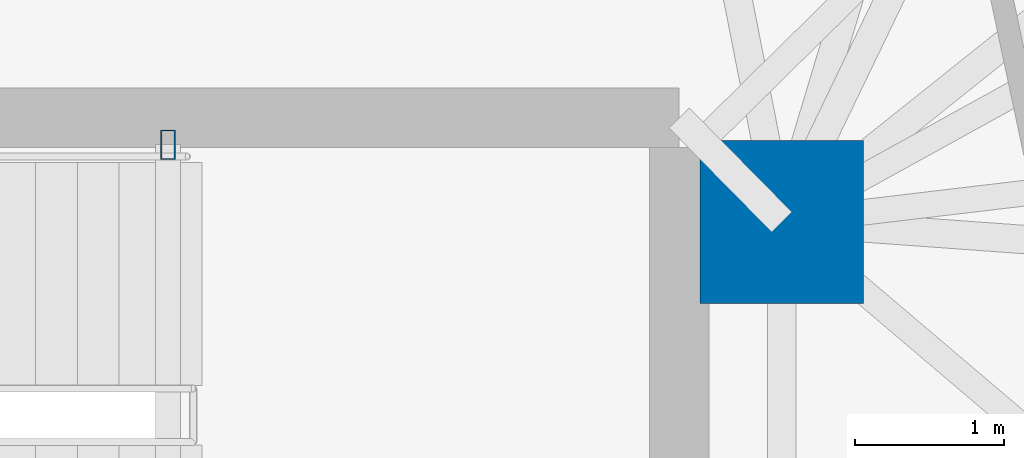
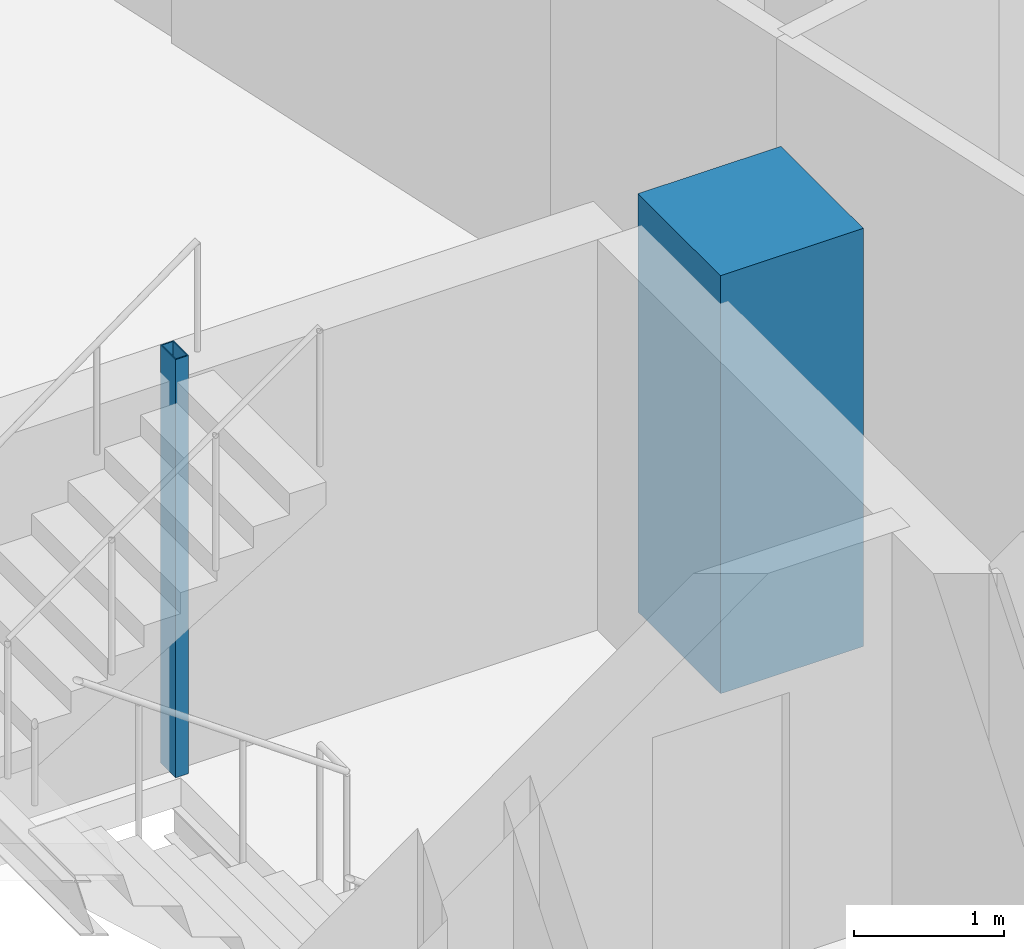
# One storey, part 4 of 19: 2 columns.
"""IFC4 building model written with IfcOpenShell, lengths in metres."""

from ifc_helpers import new_model, si_unit, direction, frame, origin, origin_2d, place, context, subcontext, project, spatial, rectangle, hollow_rectangle, extrude, material, material_profile, profile_set, type_object, element, save


model = new_model("IFC4")

# Units and contexts
model_context = context("Model", 3, precision=1e-05, world=origin(), true_north=direction((0.0, 1.0)))
body_context = subcontext(model_context, "Body", "Model", "MODEL_VIEW")
ifc_project = project(units=[si_unit("LENGTHUNIT", "METRE"), si_unit("AREAUNIT", "SQUARE_METRE"), si_unit("VOLUMEUNIT", "CUBIC_METRE"), si_unit("PLANEANGLEUNIT", "RADIAN"), si_unit("MASSUNIT", "GRAM", prefix="KILO")], contexts=[model_context])

# Site, building, storey
site_placement = place(None, origin())
site = spatial("IfcSite", under=ifc_project, at=site_placement, CompositionType="ELEMENT")
building_placement = place(site_placement, origin())
building = spatial("IfcBuilding", under=site, at=building_placement, Name="Menara Jurai Vektor", CompositionType="ELEMENT")
storey_placement = place(building_placement, frame((0.0, 0.0, 182.0)))
storey = spatial("IfcBuildingStorey", under=building, at=storey_placement, Name="L47", CompositionType="ELEMENT", Elevation=182.0)

# Columns
ifc_material_1 = material(Name="Concrete C50/60", Category="concrete")
ifc_material_profile_1 = material_profile(ifc_material_1, rectangle(XDim=1.10009765625, YDim=1.10009765625, at=origin_2d()), Name="RC 1100x1100")
ifc_profile_set_1 = profile_set([ifc_material_profile_1], Name="Concrete C50/60")
column_type_1 = type_object("IfcColumnType", Name="STR-COL-RC1100", PredefinedType="COLUMN", material=ifc_profile_set_1)
column_1_placement = place(storey_placement, frame((15.25, 4.89990234375, 0.0), z_axis=(0.0, 0.0, 1.0), x_axis=(1.0, 0.0, 0.0)))
element("IfcColumn", 1, at=column_1_placement, inside=storey, type_object=column_type_1, Name="Core Spine Column CE-NE L47", PredefinedType="COLUMN", context=body_context, shape_type="SweptSolid", body=[
    extrude(rectangle(XDim=1.10009765625, YDim=1.10009765625, at=origin_2d()), origin(), (0.0, 0.0, 1.0), 3.39990234375),
])
ifc_material_2 = material(Name="Steel S355", Category="steel")
ifc_material_profile_2 = material_profile(ifc_material_2, hollow_rectangle(XDim=0.10009765625, YDim=0.199951171875, WallThickness=0.008056640625, at=origin_2d()), Name="RHS 200x100x8")
ifc_profile_set_2 = profile_set([ifc_material_profile_2], Name="Steel S355")
column_type_2 = type_object("IfcColumnType", Name="STR-COL-STAIR", PredefinedType="COLUMN", material=ifc_profile_set_2)
column_2_placement = place(storey_placement, frame((11.1201171875, 5.419921875, 0.0), z_axis=(0.0, 0.0, 1.0), x_axis=(1.0, 0.0, 0.0)))
element("IfcColumn", 2, at=column_2_placement, inside=storey, type_object=column_type_2, Name="Stair Well Header Column ST2-P2 L47", PredefinedType="COLUMN", context=body_context, shape_type="SweptSolid", body=[
    extrude(hollow_rectangle(XDim=0.10009765625, YDim=0.199951171875, WallThickness=0.008056640625, at=origin_2d()), origin(), (0.0, 0.0, 1.0), 3.39990234375),
])

save(model, "model.ifc")
